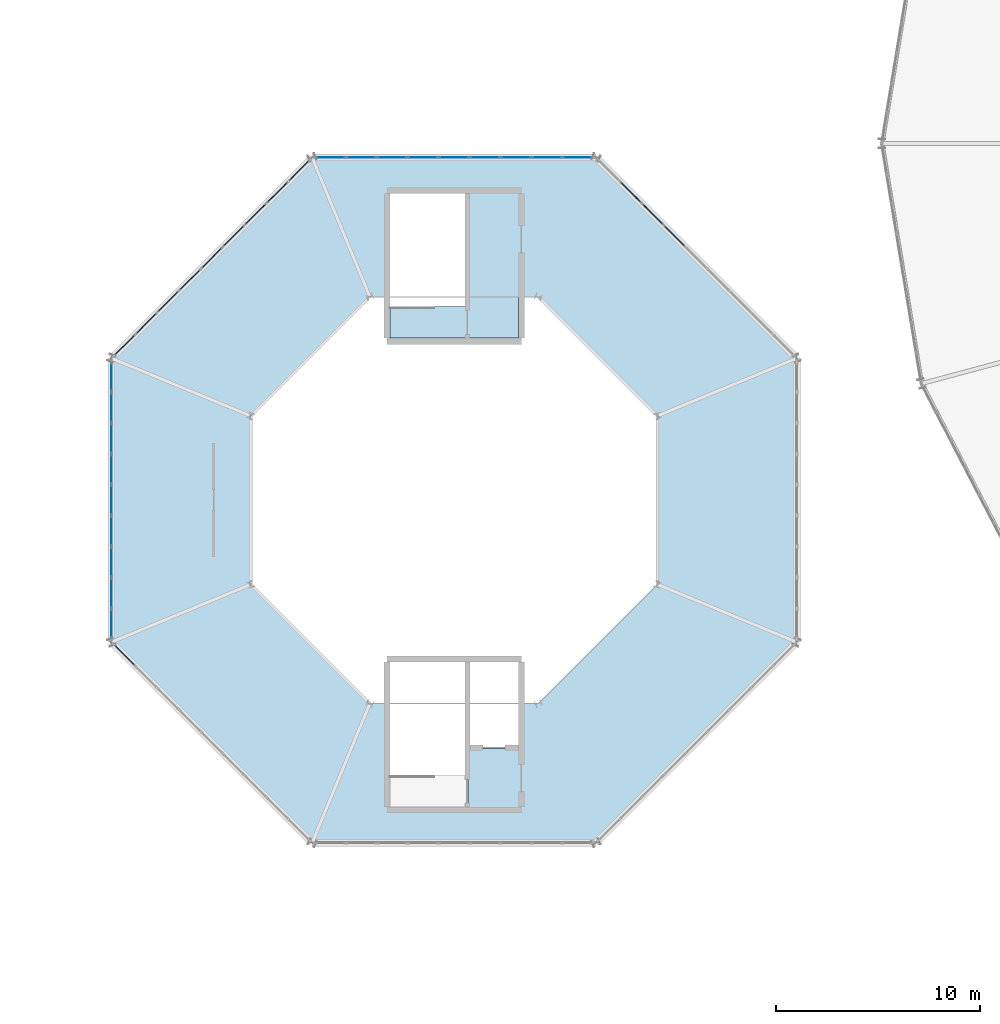
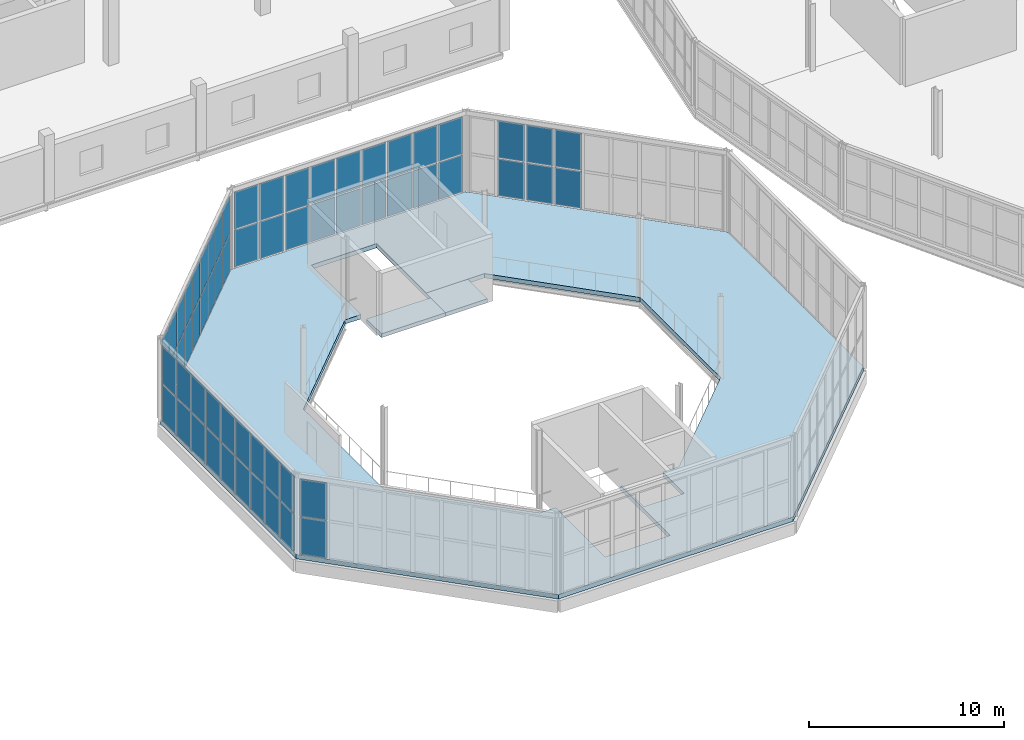
# One storey, part 111 of 161: 62 plates, 3 slabs, 5 elements without a shape of their own.
"""IFC4 building model written with IfcOpenShell, lengths in metres."""

import ifcopenshell
import ifcopenshell.guid

model = None  # the IFC model being written
_history = None  # IfcOwnerHistory: only IFC2X3 demands one
_inside = {}  # id of a spatial element -> (the spatial element, [elements in it])
_under = {}  # id of a project, library or spatial element -> (it, [spatial elements below it])
_declared = {}  # id of a project -> (the project, [libraries it declares])
_typed = {}  # id of a type object -> (the type object, [elements of that type])
_made_of = {}  # id of a material, layer set ... -> (it, [elements and type objects made of it])


def new_model(schema):
    """Start an empty IFC model of exactly this schema.

    Asked for "IFC4X3", IfcOpenShell would pick the latest addendum, in which some entities
    have other attributes; the version numbers below select the first issue.
    IFC2X3 requires an IfcOwnerHistory on every rooted entity: one is made here for all.
    """
    global model, _history
    if schema == "IFC4X3":
        model = ifcopenshell.file(schema_version=(4, 3, 0, 0))
    else:
        model = ifcopenshell.file(schema=schema)
    _inside.clear()
    _under.clear()
    _declared.clear()
    _typed.clear()
    _made_of.clear()
    _history = None
    if model.schema == "IFC2X3":
        org = make("IfcOrganization", Name="unknown")
        user = make(
            "IfcPersonAndOrganization",
            ThePerson=make("IfcPerson", FamilyName="unknown"),
            TheOrganization=org,
        )
        app = make(
            "IfcApplication",
            ApplicationDeveloper=org,
            Version="unknown",
            ApplicationFullName="unknown",
            ApplicationIdentifier="unknown",
        )
        _history = make(
            "IfcOwnerHistory",
            OwningUser=user,
            OwningApplication=app,
            ChangeAction="ADDED",
            CreationDate=0,
        )
    return model


def make(cls, **values):
    """One entity of the class cls with the attributes given. An attribute that is None is left unset."""
    return model.create_entity(
        cls, **{name: value for name, value in values.items() if value is not None}
    )


def rooted(cls, **values):
    """An entity with a GlobalId (a new one), such as an element, a storey or a relation."""
    return make(cls, GlobalId=ifcopenshell.guid.new(), OwnerHistory=_history, **values)


def si_unit(unit_type, name, prefix=None):
    """IfcSIUnit, for example si_unit("LENGTHUNIT", "METRE", prefix="MILLI")."""
    return make("IfcSIUnit", UnitType=unit_type, Prefix=prefix, Name=name)


def assignment(units):
    """IfcUnitAssignment: the units of a project."""
    return None if units is None else make("IfcUnitAssignment", Units=units)


def point(xyz):
    """IfcCartesianPoint."""
    return None if xyz is None else make("IfcCartesianPoint", Coordinates=xyz)


def direction(xyz):
    """IfcDirection."""
    return None if xyz is None else make("IfcDirection", DirectionRatios=xyz)


def frame(location, z_axis=None, x_axis=None):
    """IfcAxis2Placement3D, a coordinate frame: its origin and axes. An axis left out is left unset."""
    return make(
        "IfcAxis2Placement3D",
        Location=point(location),
        Axis=direction(z_axis),
        RefDirection=direction(x_axis),
    )


def frame_2d(location, x_axis=None):
    """IfcAxis2Placement2D, a coordinate frame in the plane: its origin and x axis."""
    return make(
        "IfcAxis2Placement2D", Location=point(location), RefDirection=direction(x_axis)
    )


def origin():
    """The frame at (0, 0, 0) with its axes left unset."""
    return frame((0.0, 0.0, 0.0))


def origin_2d():
    """The frame at (0, 0) in the plane with its x axis left unset."""
    return frame_2d((0.0, 0.0))


def place(relative_to, where):
    """IfcLocalPlacement: puts the frame where relative to a parent placement (None: the world)."""
    return make(
        "IfcLocalPlacement", PlacementRelTo=relative_to, RelativePlacement=where
    )


def context(
    kind, dimensions, precision=None, world=None, true_north=None, identifier=None
):
    """IfcGeometricRepresentationContext, for example the 3D "Model" context."""
    return make(
        "IfcGeometricRepresentationContext",
        ContextIdentifier=identifier,
        ContextType=kind,
        CoordinateSpaceDimension=dimensions,
        Precision=precision,
        WorldCoordinateSystem=world,
        TrueNorth=true_north,
    )


def subcontext(parent, identifier, kind, view, scale=None):
    """IfcGeometricRepresentationSubContext, for example "Body" below "Model"."""
    return make(
        "IfcGeometricRepresentationSubContext",
        ContextIdentifier=identifier,
        ContextType=kind,
        ParentContext=parent,
        TargetScale=scale,
        TargetView=view,
    )


def project(units=None, contexts=None):
    """IfcProject with its units and contexts."""
    return rooted(
        "IfcProject",
        Name="project",
        RepresentationContexts=contexts,
        UnitsInContext=assignment(units),
    )


def spatial(cls, under=None, at=None, **own):
    """A site, building, storey or space (cls), placed at a placement, below another one or the project."""
    s = rooted(cls, ObjectPlacement=at, **own)
    if under is not None:
        _under.setdefault(under.id(), (under, []))[1].append(s)
    return s


def polyline(points):
    """IfcPolyline through the points."""
    return make("IfcPolyline", Points=[point(p) for p in points])


def profile(cls, at=None, kind="AREA", **sizes):
    """A parametric profile (cls). Its sizes go by their IFC names, for example OverallWidth=200.0."""
    return make(cls, ProfileType=kind, Position=at, **sizes)


def rectangle(**sizes):
    """IfcRectangleProfileDef."""
    return profile("IfcRectangleProfileDef", **sizes)


def outline(outer, holes=None, kind="AREA"):
    """IfcArbitraryClosedProfileDef: a profile drawn as a closed curve; with holes, ...WithVoids."""
    if holes is None:
        return make("IfcArbitraryClosedProfileDef", ProfileType=kind, OuterCurve=outer)
    return make(
        "IfcArbitraryProfileDefWithVoids",
        ProfileType=kind,
        OuterCurve=outer,
        InnerCurves=holes,
    )


def extrude(swept, where, along, depth):
    """IfcExtrudedAreaSolid: the profile swept, set in the frame where, extruded along a direction by depth."""
    return make(
        "IfcExtrudedAreaSolid",
        SweptArea=swept,
        Position=where,
        ExtrudedDirection=direction(along),
        Depth=depth,
    )


def shape(context_of_items, identifier, shape_type, items):
    """IfcShapeRepresentation: the items that make up one representation, for example the "Body"."""
    return make(
        "IfcShapeRepresentation",
        ContextOfItems=context_of_items,
        RepresentationIdentifier=identifier,
        RepresentationType=shape_type,
        Items=items,
    )


def material(Name=None, Category=None):
    """IfcMaterial."""
    return make("IfcMaterial", Name=Name, Category=Category)


def layer(
    of_material, thickness, ventilated=None, Name=None, Category=None, Priority=None
):
    """IfcMaterialLayer: one layer of a wall or slab, of a material (None: an air gap)."""
    return make(
        "IfcMaterialLayer",
        Material=of_material,
        LayerThickness=thickness,
        IsVentilated=ventilated,
        Name=Name,
        Category=Category,
        Priority=Priority,
    )


def layer_set(layers, Name=None):
    """IfcMaterialLayerSet."""
    return make("IfcMaterialLayerSet", MaterialLayers=layers, LayerSetName=Name)


def made_of(thing, what):
    """Note that an element or type object is made of a material, layer set ...; save() writes the relation."""
    if what is not None:
        _made_of.setdefault(what.id(), (what, []))[1].append(thing)
    return thing


def type_object(cls, material=None, **own):
    """A type object (cls), such as IfcWallType, which elements share."""
    return made_of(rooted(cls, **own), material)


def element(
    cls,
    number,
    at=None,
    inside=None,
    cuts=None,
    type_object=None,
    material=None,
    context=None,
    identifier="Body",
    shape_type=None,
    held_by="IfcProductDefinitionShape",
    body=None,
    shapes=None,
    **own,
):
    """One element of the class cls, such as IfcWall. Its Tag is "e" and its number.

    at: its placement. inside: the storey or other place that contains it. cuts: it is an
    opening in that element (IfcRelVoidsElement). A single representation is given by context,
    identifier, shape_type and body (its items); several are given by shapes. held_by: the class
    of the entity that holds the representations. save() writes the other relations.
    """
    e = rooted(cls, Tag="e%d" % number, ObjectPlacement=at, **own)
    if body is not None:
        shapes = [shape(context, identifier, shape_type, body)]
    if shapes is not None:
        e.Representation = make(held_by, Representations=shapes)
    if inside is not None:
        _inside.setdefault(inside.id(), (inside, []))[1].append(e)
    if cuts is not None:
        rooted(
            "IfcRelVoidsElement", RelatingBuildingElement=cuts, RelatedOpeningElement=e
        )
    if type_object is not None:
        _typed.setdefault(type_object.id(), (type_object, []))[1].append(e)
    return made_of(e, material)


def aggregate(whole, parts):
    """IfcRelAggregates: a whole, such as a stair, and the parts it consists of."""
    return rooted("IfcRelAggregates", RelatingObject=whole, RelatedObjects=parts)


def save(model, path):
    """Write the relations noted so far, then the file.

    IfcRelAggregates (storeys below a building ...), IfcRelContainedInSpatialStructure (elements
    in a storey), IfcRelDefinesByType, IfcRelAssociatesMaterial and IfcRelDeclares: one each for
    every whole, place, type object, material and project.
    """
    for whole, parts in _under.values():
        aggregate(whole, parts)
    for where, things in _inside.values():
        rooted(
            "IfcRelContainedInSpatialStructure",
            RelatedElements=things,
            RelatingStructure=where,
        )
    for kind, things in _typed.values():
        rooted("IfcRelDefinesByType", RelatedObjects=things, RelatingType=kind)
    for what, things in _made_of.values():
        rooted("IfcRelAssociatesMaterial", RelatedObjects=things, RelatingMaterial=what)
    for by, libraries in _declared.values():
        rooted("IfcRelDeclares", RelatingContext=by, RelatedDefinitions=libraries)
    model.write(path)


model = new_model("IFC4")

# Units and contexts
model_context = context("Model", 3, precision=1e-05, world=origin(), true_north=direction((0.0, 1.0)))
body_context = subcontext(model_context, "Body", "Model", "MODEL_VIEW")
ifc_project = project(units=[si_unit("LENGTHUNIT", "METRE"), si_unit("AREAUNIT", "SQUARE_METRE"), si_unit("VOLUMEUNIT", "CUBIC_METRE"), si_unit("PLANEANGLEUNIT", "RADIAN"), si_unit("MASSUNIT", "GRAM", prefix="KILO")], contexts=[model_context])

# Site, building, storey
site_placement = place(None, origin())
site = spatial("IfcSite", under=ifc_project, at=site_placement, CompositionType="ELEMENT")
building_placement = place(site_placement, origin())
building = spatial("IfcBuilding", under=site, at=building_placement, Name="Kildeholm Park Wholesale Market", CompositionType="ELEMENT")
storey_placement = place(building_placement, frame((0.0, 0.0, 5.39990234375)))
storey = spatial("IfcBuildingStorey", under=building, at=storey_placement, Name="L01", CompositionType="ELEMENT", Elevation=5.39990234375)

# Curtain wall, plates
ifc_material_1 = material(Name="Anodised aluminium and low-E double-glazed glass", Category="aluminium")
curtain_wall_type = type_object("IfcCurtainWallType", Name="Clerestory daylight stick curtain wall CW-02", PredefinedType="NOTDEFINED", material=ifc_material_1)
curtain_wall_1_placement = place(storey_placement, origin())
curtain_wall_1 = element("IfcCurtainWall", 1, at=curtain_wall_1_placement, inside=storey, type_object=curtain_wall_type, Name="Curtain wall CW-V3-L01-00 CW-0135", PredefinedType="NOTDEFINED")
ifc_material_2 = material(Name="Triple-glazed solar-control glass", Category="glass")
ifc_layer_1 = layer(ifc_material_2, 0.035888671875)
ifc_layer_set_1 = layer_set([ifc_layer_1], Name="Triple-glazed solar-control glass")
plate_type = type_object("IfcPlateType", Name="Curtain-wall panel CWP-2 36 mm", PredefinedType="CURTAIN_PANEL", material=ifc_layer_set_1)
plate_1_placement = place(storey_placement, frame((31.817626953125, 84.96240234375, 0.0751953125), z_axis=(0.0, 0.0, 1.0), x_axis=(-0.707106781187, 0.707106781187, 0.0)))
plate_1 = element("IfcPlate", 2, at=plate_1_placement, type_object=plate_type, Name="CW-02 panel 6.1 PLT-1990", PredefinedType="CURTAIN_PANEL", context=body_context, shape_type="SweptSolid", body=[
    extrude(rectangle(XDim=1.441650390625, YDim=0.035888671875, at=origin_2d()), origin(), (0.0, 0.0, 1.0), 2.3125),
])
plate_2_placement = place(storey_placement, frame((31.817626953125, 84.96240234375, 2.462646484375), z_axis=(0.0, 0.0, 1.0), x_axis=(-0.707106781187, 0.707106781187, 0.0)))
plate_2 = element("IfcPlate", 3, at=plate_2_placement, type_object=plate_type, Name="CW-02 panel 6.2 PLT-1991", PredefinedType="CURTAIN_PANEL", context=body_context, shape_type="SweptSolid", body=[
    extrude(rectangle(XDim=1.441650390625, YDim=0.035888671875, at=origin_2d()), origin(), (0.0, 0.0, 1.0), 2.3125),
])
plate_3_placement = place(storey_placement, frame((30.7451171875, 86.034912109375, 0.0751953125), z_axis=(0.0, 0.0, 1.0), x_axis=(-0.707106781187, 0.707106781187, 0.0)))
plate_3 = element("IfcPlate", 4, at=plate_3_placement, type_object=plate_type, Name="CW-02 panel 7.1 PLT-1992", PredefinedType="CURTAIN_PANEL", context=body_context, shape_type="SweptSolid", body=[
    extrude(rectangle(XDim=1.441650390625, YDim=0.035888671875, at=origin_2d()), origin(), (0.0, 0.0, 1.0), 2.3125),
])
plate_4_placement = place(storey_placement, frame((30.7451171875, 86.034912109375, 2.462646484375), z_axis=(0.0, 0.0, 1.0), x_axis=(-0.707106781187, 0.707106781187, 0.0)))
plate_4 = element("IfcPlate", 5, at=plate_4_placement, type_object=plate_type, Name="CW-02 panel 7.2 PLT-1993", PredefinedType="CURTAIN_PANEL", context=body_context, shape_type="SweptSolid", body=[
    extrude(rectangle(XDim=1.441650390625, YDim=0.035888671875, at=origin_2d()), origin(), (0.0, 0.0, 1.0), 2.3125),
])
plate_5_placement = place(storey_placement, frame((29.672607421875, 87.107421875, 0.0751953125), z_axis=(0.0, 0.0, 1.0), x_axis=(-0.707106781187, 0.707106781187, 0.0)))
plate_5 = element("IfcPlate", 6, at=plate_5_placement, type_object=plate_type, Name="CW-02 panel 8.1 PLT-1994", PredefinedType="CURTAIN_PANEL", context=body_context, shape_type="SweptSolid", body=[
    extrude(rectangle(XDim=1.441650390625, YDim=0.035888671875, at=origin_2d()), origin(), (0.0, 0.0, 1.0), 2.3125),
])
plate_6_placement = place(storey_placement, frame((29.672607421875, 87.107421875, 2.462646484375), z_axis=(0.0, 0.0, 1.0), x_axis=(-0.707106781187, 0.707106781187, 0.0)))
plate_6 = element("IfcPlate", 7, at=plate_6_placement, type_object=plate_type, Name="CW-02 panel 8.2 PLT-1995", PredefinedType="CURTAIN_PANEL", context=body_context, shape_type="SweptSolid", body=[
    extrude(rectangle(XDim=1.441650390625, YDim=0.035888671875, at=origin_2d()), origin(), (0.0, 0.0, 1.0), 2.3125),
])
aggregate(curtain_wall_1, [plate_1, plate_2, plate_3, plate_4, plate_5, plate_6])

curtain_wall_2_placement = place(storey_placement, origin())
curtain_wall_2 = element("IfcCurtainWall", 8, at=curtain_wall_2_placement, inside=storey, type_object=curtain_wall_type, Name="Curtain wall CW-V3-L01-01 CW-0136", PredefinedType="NOTDEFINED")
plate_7_placement = place(storey_placement, frame((27.0478515625, 88.81494140625, 0.0751953125), z_axis=(0.0, 0.0, 1.0), x_axis=(-1.0, 0.0, 0.0)))
plate_7 = element("IfcPlate", 9, at=plate_7_placement, type_object=plate_type, Name="CW-02 panel 1.1 PLT-1998", PredefinedType="CURTAIN_PANEL", context=body_context, shape_type="SweptSolid", body=[
    extrude(rectangle(XDim=1.404052734375, YDim=0.035888671875, at=origin_2d()), origin(), (0.0, 0.0, 1.0), 2.3125),
])
plate_8_placement = place(storey_placement, frame((27.0478515625, 88.81494140625, 2.462646484375), z_axis=(0.0, 0.0, 1.0), x_axis=(-1.0, 0.0, 0.0)))
plate_8 = element("IfcPlate", 10, at=plate_8_placement, type_object=plate_type, Name="CW-02 panel 1.2 PLT-1999", PredefinedType="CURTAIN_PANEL", context=body_context, shape_type="SweptSolid", body=[
    extrude(rectangle(XDim=1.404052734375, YDim=0.035888671875, at=origin_2d()), origin(), (0.0, 0.0, 1.0), 2.3125),
])
plate_9_placement = place(storey_placement, frame((25.550048828125, 88.81494140625, 0.0751953125), z_axis=(0.0, 0.0, 1.0), x_axis=(-1.0, 0.0, 0.0)))
plate_9 = element("IfcPlate", 11, at=plate_9_placement, type_object=plate_type, Name="CW-02 panel 2.1 PLT-2000", PredefinedType="CURTAIN_PANEL", context=body_context, shape_type="SweptSolid", body=[
    extrude(rectangle(XDim=1.441650390625, YDim=0.035888671875, at=origin_2d()), origin(), (0.0, 0.0, 1.0), 2.3125),
])
plate_10_placement = place(storey_placement, frame((25.550048828125, 88.81494140625, 2.462646484375), z_axis=(0.0, 0.0, 1.0), x_axis=(-1.0, 0.0, 0.0)))
plate_10 = element("IfcPlate", 12, at=plate_10_placement, type_object=plate_type, Name="CW-02 panel 2.2 PLT-2001", PredefinedType="CURTAIN_PANEL", context=body_context, shape_type="SweptSolid", body=[
    extrude(rectangle(XDim=1.441650390625, YDim=0.035888671875, at=origin_2d()), origin(), (0.0, 0.0, 1.0), 2.3125),
])
plate_11_placement = place(storey_placement, frame((24.033447265625, 88.81494140625, 0.0751953125), z_axis=(0.0, 0.0, 1.0), x_axis=(-1.0, 0.0, 0.0)))
plate_11 = element("IfcPlate", 13, at=plate_11_placement, type_object=plate_type, Name="CW-02 panel 3.1 PLT-2002", PredefinedType="CURTAIN_PANEL", context=body_context, shape_type="SweptSolid", body=[
    extrude(rectangle(XDim=1.441650390625, YDim=0.035888671875, at=origin_2d()), origin(), (0.0, 0.0, 1.0), 2.3125),
])
plate_12_placement = place(storey_placement, frame((24.033447265625, 88.81494140625, 2.462646484375), z_axis=(0.0, 0.0, 1.0), x_axis=(-1.0, 0.0, 0.0)))
plate_12 = element("IfcPlate", 14, at=plate_12_placement, type_object=plate_type, Name="CW-02 panel 3.2 PLT-2003", PredefinedType="CURTAIN_PANEL", context=body_context, shape_type="SweptSolid", body=[
    extrude(rectangle(XDim=1.441650390625, YDim=0.035888671875, at=origin_2d()), origin(), (0.0, 0.0, 1.0), 2.3125),
])
plate_13_placement = place(storey_placement, frame((22.5166015625, 88.81494140625, 0.0751953125), z_axis=(0.0, 0.0, 1.0), x_axis=(-1.0, 0.0, 0.0)))
plate_13 = element("IfcPlate", 15, at=plate_13_placement, type_object=plate_type, Name="CW-02 panel 4.1 PLT-2004", PredefinedType="CURTAIN_PANEL", context=body_context, shape_type="SweptSolid", body=[
    extrude(rectangle(XDim=1.441650390625, YDim=0.035888671875, at=origin_2d()), origin(), (0.0, 0.0, 1.0), 2.3125),
])
plate_14_placement = place(storey_placement, frame((22.5166015625, 88.81494140625, 2.462646484375), z_axis=(0.0, 0.0, 1.0), x_axis=(-1.0, 0.0, 0.0)))
plate_14 = element("IfcPlate", 16, at=plate_14_placement, type_object=plate_type, Name="CW-02 panel 4.2 PLT-2005", PredefinedType="CURTAIN_PANEL", context=body_context, shape_type="SweptSolid", body=[
    extrude(rectangle(XDim=1.441650390625, YDim=0.035888671875, at=origin_2d()), origin(), (0.0, 0.0, 1.0), 2.3125),
])
plate_15_placement = place(storey_placement, frame((21.0, 88.81494140625, 0.0751953125), z_axis=(0.0, 0.0, 1.0), x_axis=(-1.0, 0.0, 0.0)))
plate_15 = element("IfcPlate", 17, at=plate_15_placement, type_object=plate_type, Name="CW-02 panel 5.1 PLT-2006", PredefinedType="CURTAIN_PANEL", context=body_context, shape_type="SweptSolid", body=[
    extrude(rectangle(XDim=1.441650390625, YDim=0.035888671875, at=origin_2d()), origin(), (0.0, 0.0, 1.0), 2.3125),
])
plate_16_placement = place(storey_placement, frame((21.0, 88.81494140625, 2.462646484375), z_axis=(0.0, 0.0, 1.0), x_axis=(-1.0, 0.0, 0.0)))
plate_16 = element("IfcPlate", 18, at=plate_16_placement, type_object=plate_type, Name="CW-02 panel 5.2 PLT-2007", PredefinedType="CURTAIN_PANEL", context=body_context, shape_type="SweptSolid", body=[
    extrude(rectangle(XDim=1.441650390625, YDim=0.035888671875, at=origin_2d()), origin(), (0.0, 0.0, 1.0), 2.3125),
])
plate_17_placement = place(storey_placement, frame((19.4833984375, 88.81494140625, 0.0751953125), z_axis=(0.0, 0.0, 1.0), x_axis=(-1.0, 0.0, 0.0)))
plate_17 = element("IfcPlate", 19, at=plate_17_placement, type_object=plate_type, Name="CW-02 panel 6.1 PLT-2008", PredefinedType="CURTAIN_PANEL", context=body_context, shape_type="SweptSolid", body=[
    extrude(rectangle(XDim=1.441650390625, YDim=0.035888671875, at=origin_2d()), origin(), (0.0, 0.0, 1.0), 2.3125),
])
plate_18_placement = place(storey_placement, frame((19.4833984375, 88.81494140625, 2.462646484375), z_axis=(0.0, 0.0, 1.0), x_axis=(-1.0, 0.0, 0.0)))
plate_18 = element("IfcPlate", 20, at=plate_18_placement, type_object=plate_type, Name="CW-02 panel 6.2 PLT-2009", PredefinedType="CURTAIN_PANEL", context=body_context, shape_type="SweptSolid", body=[
    extrude(rectangle(XDim=1.441650390625, YDim=0.035888671875, at=origin_2d()), origin(), (0.0, 0.0, 1.0), 2.3125),
])
plate_19_placement = place(storey_placement, frame((17.966552734375, 88.81494140625, 0.0751953125), z_axis=(0.0, 0.0, 1.0), x_axis=(-1.0, 0.0, 0.0)))
plate_19 = element("IfcPlate", 21, at=plate_19_placement, type_object=plate_type, Name="CW-02 panel 7.1 PLT-2010", PredefinedType="CURTAIN_PANEL", context=body_context, shape_type="SweptSolid", body=[
    extrude(rectangle(XDim=1.441650390625, YDim=0.035888671875, at=origin_2d()), origin(), (0.0, 0.0, 1.0), 2.3125),
])
plate_20_placement = place(storey_placement, frame((17.966552734375, 88.81494140625, 2.462646484375), z_axis=(0.0, 0.0, 1.0), x_axis=(-1.0, 0.0, 0.0)))
plate_20 = element("IfcPlate", 22, at=plate_20_placement, type_object=plate_type, Name="CW-02 panel 7.2 PLT-2011", PredefinedType="CURTAIN_PANEL", context=body_context, shape_type="SweptSolid", body=[
    extrude(rectangle(XDim=1.441650390625, YDim=0.035888671875, at=origin_2d()), origin(), (0.0, 0.0, 1.0), 2.3125),
])
plate_21_placement = place(storey_placement, frame((16.449951171875, 88.81494140625, 0.0751953125), z_axis=(0.0, 0.0, 1.0), x_axis=(-1.0, 0.0, 0.0)))
plate_21 = element("IfcPlate", 23, at=plate_21_placement, type_object=plate_type, Name="CW-02 panel 8.1 PLT-2012", PredefinedType="CURTAIN_PANEL", context=body_context, shape_type="SweptSolid", body=[
    extrude(rectangle(XDim=1.441650390625, YDim=0.035888671875, at=origin_2d()), origin(), (0.0, 0.0, 1.0), 2.3125),
])
plate_22_placement = place(storey_placement, frame((16.449951171875, 88.81494140625, 2.462646484375), z_axis=(0.0, 0.0, 1.0), x_axis=(-1.0, 0.0, 0.0)))
plate_22 = element("IfcPlate", 24, at=plate_22_placement, type_object=plate_type, Name="CW-02 panel 8.2 PLT-2013", PredefinedType="CURTAIN_PANEL", context=body_context, shape_type="SweptSolid", body=[
    extrude(rectangle(XDim=1.441650390625, YDim=0.035888671875, at=origin_2d()), origin(), (0.0, 0.0, 1.0), 2.3125),
])
plate_23_placement = place(storey_placement, frame((14.9521484375, 88.81494140625, 0.0751953125), z_axis=(0.0, 0.0, 1.0), x_axis=(-1.0, 0.0, 0.0)))
plate_23 = element("IfcPlate", 25, at=plate_23_placement, type_object=plate_type, Name="CW-02 panel 9.1 PLT-2014", PredefinedType="CURTAIN_PANEL", context=body_context, shape_type="SweptSolid", body=[
    extrude(rectangle(XDim=1.404052734375, YDim=0.035888671875, at=origin_2d()), origin(), (0.0, 0.0, 1.0), 2.3125),
])
plate_24_placement = place(storey_placement, frame((14.9521484375, 88.81494140625, 2.462646484375), z_axis=(0.0, 0.0, 1.0), x_axis=(-1.0, 0.0, 0.0)))
plate_24 = element("IfcPlate", 26, at=plate_24_placement, type_object=plate_type, Name="CW-02 panel 9.2 PLT-2015", PredefinedType="CURTAIN_PANEL", context=body_context, shape_type="SweptSolid", body=[
    extrude(rectangle(XDim=1.404052734375, YDim=0.035888671875, at=origin_2d()), origin(), (0.0, 0.0, 1.0), 2.3125),
])
aggregate(curtain_wall_2, [plate_7, plate_8, plate_9, plate_10, plate_11, plate_12, plate_13, plate_14, plate_15, plate_16, plate_17, plate_18, plate_19, plate_20, plate_21, plate_22, plate_23, plate_24])

curtain_wall_3_placement = place(storey_placement, origin())
curtain_wall_3 = element("IfcCurtainWall", 27, at=curtain_wall_3_placement, inside=storey, type_object=curtain_wall_type, Name="Curtain wall CW-V3-L01-02 CW-0137", PredefinedType="NOTDEFINED")
plate_25_placement = place(storey_placement, frame((13.386474609375, 88.16650390625, 0.0751953125), z_axis=(0.0, 0.0, 1.0), x_axis=(-0.707106781187, -0.707106781187, 0.0)))
plate_25 = element("IfcPlate", 28, at=plate_25_placement, type_object=plate_type, Name="CW-02 panel 1.1 PLT-2016", PredefinedType="CURTAIN_PANEL", context=body_context, shape_type="SweptSolid", body=[
    extrude(rectangle(XDim=1.404052734375, YDim=0.035888671875, at=origin_2d()), origin(), (0.0, 0.0, 1.0), 2.3125),
])
plate_26_placement = place(storey_placement, frame((13.386474609375, 88.16650390625, 2.462646484375), z_axis=(0.0, 0.0, 1.0), x_axis=(-0.707106781187, -0.707106781187, 0.0)))
plate_26 = element("IfcPlate", 29, at=plate_26_placement, type_object=plate_type, Name="CW-02 panel 1.2 PLT-2017", PredefinedType="CURTAIN_PANEL", context=body_context, shape_type="SweptSolid", body=[
    extrude(rectangle(XDim=1.404052734375, YDim=0.035888671875, at=origin_2d()), origin(), (0.0, 0.0, 1.0), 2.3125),
])
plate_27_placement = place(storey_placement, frame((12.327392578125, 87.107421875, 0.0751953125), z_axis=(0.0, 0.0, 1.0), x_axis=(-0.707106781187, -0.707106781187, 0.0)))
plate_27 = element("IfcPlate", 30, at=plate_27_placement, type_object=plate_type, Name="CW-02 panel 2.1 PLT-2018", PredefinedType="CURTAIN_PANEL", context=body_context, shape_type="SweptSolid", body=[
    extrude(rectangle(XDim=1.441650390625, YDim=0.035888671875, at=origin_2d()), origin(), (0.0, 0.0, 1.0), 2.3125),
])
plate_28_placement = place(storey_placement, frame((12.327392578125, 87.107421875, 2.462646484375), z_axis=(0.0, 0.0, 1.0), x_axis=(-0.707106781187, -0.707106781187, 0.0)))
plate_28 = element("IfcPlate", 31, at=plate_28_placement, type_object=plate_type, Name="CW-02 panel 2.2 PLT-2019", PredefinedType="CURTAIN_PANEL", context=body_context, shape_type="SweptSolid", body=[
    extrude(rectangle(XDim=1.441650390625, YDim=0.035888671875, at=origin_2d()), origin(), (0.0, 0.0, 1.0), 2.3125),
])
plate_29_placement = place(storey_placement, frame((11.2548828125, 86.034912109375, 0.0751953125), z_axis=(0.0, 0.0, 1.0), x_axis=(-0.707106781187, -0.707106781187, 0.0)))
plate_29 = element("IfcPlate", 32, at=plate_29_placement, type_object=plate_type, Name="CW-02 panel 3.1 PLT-2020", PredefinedType="CURTAIN_PANEL", context=body_context, shape_type="SweptSolid", body=[
    extrude(rectangle(XDim=1.441650390625, YDim=0.035888671875, at=origin_2d()), origin(), (0.0, 0.0, 1.0), 2.3125),
])
plate_30_placement = place(storey_placement, frame((11.2548828125, 86.034912109375, 2.462646484375), z_axis=(0.0, 0.0, 1.0), x_axis=(-0.707106781187, -0.707106781187, 0.0)))
plate_30 = element("IfcPlate", 33, at=plate_30_placement, type_object=plate_type, Name="CW-02 panel 3.2 PLT-2021", PredefinedType="CURTAIN_PANEL", context=body_context, shape_type="SweptSolid", body=[
    extrude(rectangle(XDim=1.441650390625, YDim=0.035888671875, at=origin_2d()), origin(), (0.0, 0.0, 1.0), 2.3125),
])
plate_31_placement = place(storey_placement, frame((10.182373046875, 84.96240234375, 0.0751953125), z_axis=(0.0, 0.0, 1.0), x_axis=(-0.707106781187, -0.707106781187, 0.0)))
plate_31 = element("IfcPlate", 34, at=plate_31_placement, type_object=plate_type, Name="CW-02 panel 4.1 PLT-2022", PredefinedType="CURTAIN_PANEL", context=body_context, shape_type="SweptSolid", body=[
    extrude(rectangle(XDim=1.441650390625, YDim=0.035888671875, at=origin_2d()), origin(), (0.0, 0.0, 1.0), 2.3125),
])
plate_32_placement = place(storey_placement, frame((10.182373046875, 84.96240234375, 2.462646484375), z_axis=(0.0, 0.0, 1.0), x_axis=(-0.707106781187, -0.707106781187, 0.0)))
plate_32 = element("IfcPlate", 35, at=plate_32_placement, type_object=plate_type, Name="CW-02 panel 4.2 PLT-2023", PredefinedType="CURTAIN_PANEL", context=body_context, shape_type="SweptSolid", body=[
    extrude(rectangle(XDim=1.441650390625, YDim=0.035888671875, at=origin_2d()), origin(), (0.0, 0.0, 1.0), 2.3125),
])
plate_33_placement = place(storey_placement, frame((9.110107421875, 83.889892578125, 0.0751953125), z_axis=(0.0, 0.0, 1.0), x_axis=(-0.707106781187, -0.707106781187, 0.0)))
plate_33 = element("IfcPlate", 36, at=plate_33_placement, type_object=plate_type, Name="CW-02 panel 5.1 PLT-2024", PredefinedType="CURTAIN_PANEL", context=body_context, shape_type="SweptSolid", body=[
    extrude(rectangle(XDim=1.441650390625, YDim=0.035888671875, at=origin_2d()), origin(), (0.0, 0.0, 1.0), 2.3125),
])
plate_34_placement = place(storey_placement, frame((9.110107421875, 83.889892578125, 2.462646484375), z_axis=(0.0, 0.0, 1.0), x_axis=(-0.707106781187, -0.707106781187, 0.0)))
plate_34 = element("IfcPlate", 37, at=plate_34_placement, type_object=plate_type, Name="CW-02 panel 5.2 PLT-2025", PredefinedType="CURTAIN_PANEL", context=body_context, shape_type="SweptSolid", body=[
    extrude(rectangle(XDim=1.441650390625, YDim=0.035888671875, at=origin_2d()), origin(), (0.0, 0.0, 1.0), 2.3125),
])
plate_35_placement = place(storey_placement, frame((8.03759765625, 82.817626953125, 0.0751953125), z_axis=(0.0, 0.0, 1.0), x_axis=(-0.707106781187, -0.707106781187, 0.0)))
plate_35 = element("IfcPlate", 38, at=plate_35_placement, type_object=plate_type, Name="CW-02 panel 6.1 PLT-2026", PredefinedType="CURTAIN_PANEL", context=body_context, shape_type="SweptSolid", body=[
    extrude(rectangle(XDim=1.441650390625, YDim=0.035888671875, at=origin_2d()), origin(), (0.0, 0.0, 1.0), 2.3125),
])
plate_36_placement = place(storey_placement, frame((8.03759765625, 82.817626953125, 2.462646484375), z_axis=(0.0, 0.0, 1.0), x_axis=(-0.707106781187, -0.707106781187, 0.0)))
plate_36 = element("IfcPlate", 39, at=plate_36_placement, type_object=plate_type, Name="CW-02 panel 6.2 PLT-2027", PredefinedType="CURTAIN_PANEL", context=body_context, shape_type="SweptSolid", body=[
    extrude(rectangle(XDim=1.441650390625, YDim=0.035888671875, at=origin_2d()), origin(), (0.0, 0.0, 1.0), 2.3125),
])
plate_37_placement = place(storey_placement, frame((6.965087890625, 81.7451171875, 0.0751953125), z_axis=(0.0, 0.0, 1.0), x_axis=(-0.707106781187, -0.707106781187, 0.0)))
plate_37 = element("IfcPlate", 40, at=plate_37_placement, type_object=plate_type, Name="CW-02 panel 7.1 PLT-2028", PredefinedType="CURTAIN_PANEL", context=body_context, shape_type="SweptSolid", body=[
    extrude(rectangle(XDim=1.441650390625, YDim=0.035888671875, at=origin_2d()), origin(), (0.0, 0.0, 1.0), 2.3125),
])
plate_38_placement = place(storey_placement, frame((6.965087890625, 81.7451171875, 2.462646484375), z_axis=(0.0, 0.0, 1.0), x_axis=(-0.707106781187, -0.707106781187, 0.0)))
plate_38 = element("IfcPlate", 41, at=plate_38_placement, type_object=plate_type, Name="CW-02 panel 7.2 PLT-2029", PredefinedType="CURTAIN_PANEL", context=body_context, shape_type="SweptSolid", body=[
    extrude(rectangle(XDim=1.441650390625, YDim=0.035888671875, at=origin_2d()), origin(), (0.0, 0.0, 1.0), 2.3125),
])
plate_39_placement = place(storey_placement, frame((5.892578125, 80.672607421875, 0.0751953125), z_axis=(0.0, 0.0, 1.0), x_axis=(-0.707106781187, -0.707106781187, 0.0)))
plate_39 = element("IfcPlate", 42, at=plate_39_placement, type_object=plate_type, Name="CW-02 panel 8.1 PLT-2030", PredefinedType="CURTAIN_PANEL", context=body_context, shape_type="SweptSolid", body=[
    extrude(rectangle(XDim=1.441650390625, YDim=0.035888671875, at=origin_2d()), origin(), (0.0, 0.0, 1.0), 2.3125),
])
plate_40_placement = place(storey_placement, frame((5.892578125, 80.672607421875, 2.462646484375), z_axis=(0.0, 0.0, 1.0), x_axis=(-0.707106781187, -0.707106781187, 0.0)))
plate_40 = element("IfcPlate", 43, at=plate_40_placement, type_object=plate_type, Name="CW-02 panel 8.2 PLT-2031", PredefinedType="CURTAIN_PANEL", context=body_context, shape_type="SweptSolid", body=[
    extrude(rectangle(XDim=1.441650390625, YDim=0.035888671875, at=origin_2d()), origin(), (0.0, 0.0, 1.0), 2.3125),
])
plate_41_placement = place(storey_placement, frame((4.83349609375, 79.613525390625, 0.0751953125), z_axis=(0.0, 0.0, 1.0), x_axis=(-0.707106781187, -0.707106781187, 0.0)))
plate_41 = element("IfcPlate", 44, at=plate_41_placement, type_object=plate_type, Name="CW-02 panel 9.1 PLT-2032", PredefinedType="CURTAIN_PANEL", context=body_context, shape_type="SweptSolid", body=[
    extrude(rectangle(XDim=1.404052734375, YDim=0.035888671875, at=origin_2d()), origin(), (0.0, 0.0, 1.0), 2.3125),
])
plate_42_placement = place(storey_placement, frame((4.83349609375, 79.613525390625, 2.462646484375), z_axis=(0.0, 0.0, 1.0), x_axis=(-0.707106781187, -0.707106781187, 0.0)))
plate_42 = element("IfcPlate", 45, at=plate_42_placement, type_object=plate_type, Name="CW-02 panel 9.2 PLT-2033", PredefinedType="CURTAIN_PANEL", context=body_context, shape_type="SweptSolid", body=[
    extrude(rectangle(XDim=1.404052734375, YDim=0.035888671875, at=origin_2d()), origin(), (0.0, 0.0, 1.0), 2.3125),
])
aggregate(curtain_wall_3, [plate_25, plate_26, plate_27, plate_28, plate_29, plate_30, plate_31, plate_32, plate_33, plate_34, plate_35, plate_36, plate_37, plate_38, plate_39, plate_40, plate_41, plate_42])

curtain_wall_4_placement = place(storey_placement, origin())
curtain_wall_4 = element("IfcCurtainWall", 46, at=curtain_wall_4_placement, inside=storey, type_object=curtain_wall_type, Name="Curtain wall CW-V3-L01-03 CW-0138", PredefinedType="NOTDEFINED")
plate_43_placement = place(storey_placement, frame((4.18505859375, 78.0478515625, 0.0751953125), z_axis=(0.0, 0.0, 1.0), x_axis=(0.0, -1.0, 0.0)))
plate_43 = element("IfcPlate", 47, at=plate_43_placement, type_object=plate_type, Name="CW-02 panel 1.1 PLT-2034", PredefinedType="CURTAIN_PANEL", context=body_context, shape_type="SweptSolid", body=[
    extrude(rectangle(XDim=1.404052734375, YDim=0.035888671875, at=origin_2d()), origin(), (0.0, 0.0, 1.0), 2.3125),
])
plate_44_placement = place(storey_placement, frame((4.18505859375, 78.0478515625, 2.462646484375), z_axis=(0.0, 0.0, 1.0), x_axis=(0.0, -1.0, 0.0)))
plate_44 = element("IfcPlate", 48, at=plate_44_placement, type_object=plate_type, Name="CW-02 panel 1.2 PLT-2035", PredefinedType="CURTAIN_PANEL", context=body_context, shape_type="SweptSolid", body=[
    extrude(rectangle(XDim=1.404052734375, YDim=0.035888671875, at=origin_2d()), origin(), (0.0, 0.0, 1.0), 2.3125),
])
plate_45_placement = place(storey_placement, frame((4.18505859375, 76.550048828125, 0.0751953125), z_axis=(0.0, 0.0, 1.0), x_axis=(0.0, -1.0, 0.0)))
plate_45 = element("IfcPlate", 49, at=plate_45_placement, type_object=plate_type, Name="CW-02 panel 2.1 PLT-2036", PredefinedType="CURTAIN_PANEL", context=body_context, shape_type="SweptSolid", body=[
    extrude(rectangle(XDim=1.441650390625, YDim=0.035888671875, at=origin_2d()), origin(), (0.0, 0.0, 1.0), 2.3125),
])
plate_46_placement = place(storey_placement, frame((4.18505859375, 76.550048828125, 2.462646484375), z_axis=(0.0, 0.0, 1.0), x_axis=(0.0, -1.0, 0.0)))
plate_46 = element("IfcPlate", 50, at=plate_46_placement, type_object=plate_type, Name="CW-02 panel 2.2 PLT-2037", PredefinedType="CURTAIN_PANEL", context=body_context, shape_type="SweptSolid", body=[
    extrude(rectangle(XDim=1.441650390625, YDim=0.035888671875, at=origin_2d()), origin(), (0.0, 0.0, 1.0), 2.3125),
])
plate_47_placement = place(storey_placement, frame((4.18505859375, 75.033447265625, 0.0751953125), z_axis=(0.0, 0.0, 1.0), x_axis=(0.0, -1.0, 0.0)))
plate_47 = element("IfcPlate", 51, at=plate_47_placement, type_object=plate_type, Name="CW-02 panel 3.1 PLT-2038", PredefinedType="CURTAIN_PANEL", context=body_context, shape_type="SweptSolid", body=[
    extrude(rectangle(XDim=1.441650390625, YDim=0.035888671875, at=origin_2d()), origin(), (0.0, 0.0, 1.0), 2.3125),
])
plate_48_placement = place(storey_placement, frame((4.18505859375, 75.033447265625, 2.462646484375), z_axis=(0.0, 0.0, 1.0), x_axis=(0.0, -1.0, 0.0)))
plate_48 = element("IfcPlate", 52, at=plate_48_placement, type_object=plate_type, Name="CW-02 panel 3.2 PLT-2039", PredefinedType="CURTAIN_PANEL", context=body_context, shape_type="SweptSolid", body=[
    extrude(rectangle(XDim=1.441650390625, YDim=0.035888671875, at=origin_2d()), origin(), (0.0, 0.0, 1.0), 2.3125),
])
plate_49_placement = place(storey_placement, frame((4.18505859375, 73.5166015625, 0.0751953125), z_axis=(0.0, 0.0, 1.0), x_axis=(0.0, -1.0, 0.0)))
plate_49 = element("IfcPlate", 53, at=plate_49_placement, type_object=plate_type, Name="CW-02 panel 4.1 PLT-2040", PredefinedType="CURTAIN_PANEL", context=body_context, shape_type="SweptSolid", body=[
    extrude(rectangle(XDim=1.441650390625, YDim=0.035888671875, at=origin_2d()), origin(), (0.0, 0.0, 1.0), 2.3125),
])
plate_50_placement = place(storey_placement, frame((4.18505859375, 73.5166015625, 2.462646484375), z_axis=(0.0, 0.0, 1.0), x_axis=(0.0, -1.0, 0.0)))
plate_50 = element("IfcPlate", 54, at=plate_50_placement, type_object=plate_type, Name="CW-02 panel 4.2 PLT-2041", PredefinedType="CURTAIN_PANEL", context=body_context, shape_type="SweptSolid", body=[
    extrude(rectangle(XDim=1.441650390625, YDim=0.035888671875, at=origin_2d()), origin(), (0.0, 0.0, 1.0), 2.3125),
])
plate_51_placement = place(storey_placement, frame((4.18505859375, 72.0, 0.0751953125), z_axis=(0.0, 0.0, 1.0), x_axis=(0.0, -1.0, 0.0)))
plate_51 = element("IfcPlate", 55, at=plate_51_placement, type_object=plate_type, Name="CW-02 panel 5.1 PLT-2042", PredefinedType="CURTAIN_PANEL", context=body_context, shape_type="SweptSolid", body=[
    extrude(rectangle(XDim=1.441650390625, YDim=0.035888671875, at=origin_2d()), origin(), (0.0, 0.0, 1.0), 2.3125),
])
plate_52_placement = place(storey_placement, frame((4.18505859375, 72.0, 2.462646484375), z_axis=(0.0, 0.0, 1.0), x_axis=(0.0, -1.0, 0.0)))
plate_52 = element("IfcPlate", 56, at=plate_52_placement, type_object=plate_type, Name="CW-02 panel 5.2 PLT-2043", PredefinedType="CURTAIN_PANEL", context=body_context, shape_type="SweptSolid", body=[
    extrude(rectangle(XDim=1.441650390625, YDim=0.035888671875, at=origin_2d()), origin(), (0.0, 0.0, 1.0), 2.3125),
])
plate_53_placement = place(storey_placement, frame((4.18505859375, 70.4833984375, 0.0751953125), z_axis=(0.0, 0.0, 1.0), x_axis=(0.0, -1.0, 0.0)))
plate_53 = element("IfcPlate", 57, at=plate_53_placement, type_object=plate_type, Name="CW-02 panel 6.1 PLT-2044", PredefinedType="CURTAIN_PANEL", context=body_context, shape_type="SweptSolid", body=[
    extrude(rectangle(XDim=1.441650390625, YDim=0.035888671875, at=origin_2d()), origin(), (0.0, 0.0, 1.0), 2.3125),
])
plate_54_placement = place(storey_placement, frame((4.18505859375, 70.4833984375, 2.462646484375), z_axis=(0.0, 0.0, 1.0), x_axis=(0.0, -1.0, 0.0)))
plate_54 = element("IfcPlate", 58, at=plate_54_placement, type_object=plate_type, Name="CW-02 panel 6.2 PLT-2045", PredefinedType="CURTAIN_PANEL", context=body_context, shape_type="SweptSolid", body=[
    extrude(rectangle(XDim=1.441650390625, YDim=0.035888671875, at=origin_2d()), origin(), (0.0, 0.0, 1.0), 2.3125),
])
plate_55_placement = place(storey_placement, frame((4.18505859375, 68.966552734375, 0.0751953125), z_axis=(0.0, 0.0, 1.0), x_axis=(0.0, -1.0, 0.0)))
plate_55 = element("IfcPlate", 59, at=plate_55_placement, type_object=plate_type, Name="CW-02 panel 7.1 PLT-2046", PredefinedType="CURTAIN_PANEL", context=body_context, shape_type="SweptSolid", body=[
    extrude(rectangle(XDim=1.441650390625, YDim=0.035888671875, at=origin_2d()), origin(), (0.0, 0.0, 1.0), 2.3125),
])
plate_56_placement = place(storey_placement, frame((4.18505859375, 68.966552734375, 2.462646484375), z_axis=(0.0, 0.0, 1.0), x_axis=(0.0, -1.0, 0.0)))
plate_56 = element("IfcPlate", 60, at=plate_56_placement, type_object=plate_type, Name="CW-02 panel 7.2 PLT-2047", PredefinedType="CURTAIN_PANEL", context=body_context, shape_type="SweptSolid", body=[
    extrude(rectangle(XDim=1.441650390625, YDim=0.035888671875, at=origin_2d()), origin(), (0.0, 0.0, 1.0), 2.3125),
])
plate_57_placement = place(storey_placement, frame((4.18505859375, 67.449951171875, 0.0751953125), z_axis=(0.0, 0.0, 1.0), x_axis=(0.0, -1.0, 0.0)))
plate_57 = element("IfcPlate", 61, at=plate_57_placement, type_object=plate_type, Name="CW-02 panel 8.1 PLT-2048", PredefinedType="CURTAIN_PANEL", context=body_context, shape_type="SweptSolid", body=[
    extrude(rectangle(XDim=1.441650390625, YDim=0.035888671875, at=origin_2d()), origin(), (0.0, 0.0, 1.0), 2.3125),
])
plate_58_placement = place(storey_placement, frame((4.18505859375, 67.449951171875, 2.462646484375), z_axis=(0.0, 0.0, 1.0), x_axis=(0.0, -1.0, 0.0)))
plate_58 = element("IfcPlate", 62, at=plate_58_placement, type_object=plate_type, Name="CW-02 panel 8.2 PLT-2049", PredefinedType="CURTAIN_PANEL", context=body_context, shape_type="SweptSolid", body=[
    extrude(rectangle(XDim=1.441650390625, YDim=0.035888671875, at=origin_2d()), origin(), (0.0, 0.0, 1.0), 2.3125),
])
plate_59_placement = place(storey_placement, frame((4.18505859375, 65.9521484375, 0.0751953125), z_axis=(0.0, 0.0, 1.0), x_axis=(0.0, -1.0, 0.0)))
plate_59 = element("IfcPlate", 63, at=plate_59_placement, type_object=plate_type, Name="CW-02 panel 9.1 PLT-2050", PredefinedType="CURTAIN_PANEL", context=body_context, shape_type="SweptSolid", body=[
    extrude(rectangle(XDim=1.404052734375, YDim=0.035888671875, at=origin_2d()), origin(), (0.0, 0.0, 1.0), 2.3125),
])
plate_60_placement = place(storey_placement, frame((4.18505859375, 65.9521484375, 2.462646484375), z_axis=(0.0, 0.0, 1.0), x_axis=(0.0, -1.0, 0.0)))
plate_60 = element("IfcPlate", 64, at=plate_60_placement, type_object=plate_type, Name="CW-02 panel 9.2 PLT-2051", PredefinedType="CURTAIN_PANEL", context=body_context, shape_type="SweptSolid", body=[
    extrude(rectangle(XDim=1.404052734375, YDim=0.035888671875, at=origin_2d()), origin(), (0.0, 0.0, 1.0), 2.3125),
])
aggregate(curtain_wall_4, [plate_43, plate_44, plate_45, plate_46, plate_47, plate_48, plate_49, plate_50, plate_51, plate_52, plate_53, plate_54, plate_55, plate_56, plate_57, plate_58, plate_59, plate_60])

curtain_wall_5_placement = place(storey_placement, origin())
curtain_wall_5 = element("IfcCurtainWall", 65, at=curtain_wall_5_placement, inside=storey, type_object=curtain_wall_type, Name="Curtain wall CW-V3-L01-04 CW-0139", PredefinedType="NOTDEFINED")
plate_61_placement = place(storey_placement, frame((4.83349609375, 64.386474609375, 0.0751953125), z_axis=(0.0, 0.0, 1.0), x_axis=(0.707106781187, -0.707106781187, 0.0)))
plate_61 = element("IfcPlate", 66, at=plate_61_placement, type_object=plate_type, Name="CW-02 panel 1.1 PLT-2052", PredefinedType="CURTAIN_PANEL", context=body_context, shape_type="SweptSolid", body=[
    extrude(rectangle(XDim=1.404052734375, YDim=0.035888671875, at=origin_2d()), origin(), (0.0, 0.0, 1.0), 2.3125),
])
plate_62_placement = place(storey_placement, frame((4.83349609375, 64.386474609375, 2.462646484375), z_axis=(0.0, 0.0, 1.0), x_axis=(0.707106781187, -0.707106781187, 0.0)))
plate_62 = element("IfcPlate", 67, at=plate_62_placement, type_object=plate_type, Name="CW-02 panel 1.2 PLT-2053", PredefinedType="CURTAIN_PANEL", context=body_context, shape_type="SweptSolid", body=[
    extrude(rectangle(XDim=1.404052734375, YDim=0.035888671875, at=origin_2d()), origin(), (0.0, 0.0, 1.0), 2.3125),
])
aggregate(curtain_wall_5, [plate_61, plate_62])

# Slabs
ifc_material_3 = material(Name="Concrete C35/45", Category="concrete")
ifc_layer_2 = layer(ifc_material_3, 0.27001953125)
ifc_layer_set_2 = layer_set([ifc_layer_2], Name="Concrete C35/45")
slab_type_1 = type_object("IfcSlabType", Name="Slab S-FL3 270 mm", PredefinedType="FLOOR", material=ifc_layer_set_2)
slab_1_placement = place(storey_placement, frame((0.0, 0.0, -0.27001953125)))
element("IfcSlab", 68, at=slab_1_placement, inside=storey, type_object=slab_type_1, Name="Auction viewing gallery L01 slab SLB-0340", PredefinedType="FLOOR", context=body_context, shape_type="SweptSolid", body=[
    extrude(outline(polyline([(37.81494140625, 65.034912109375), (27.965087890625, 55.18505859375), (14.034912109375, 55.18505859375), (4.18505859375, 65.034912109375), (4.18505859375, 78.965087890625), (14.034912109375, 88.81494140625), (27.965087890625, 88.81494140625), (37.81494140625, 78.965087890625), (37.81494140625, 65.034912109375)]), holes=[polyline([(17.820068359375, 56.919921875), (21.679931640625, 56.919921875), (21.679931640625, 62.02197265625), (21.780029296875, 62.02197265625), (21.780029296875, 59.820068359375), (24.179931640625, 59.820068359375), (24.179931640625, 62.02197265625), (25.133056640625, 62.02197265625), (30.97802734375, 67.866943359375), (30.97802734375, 76.133056640625), (25.133056640625, 81.97802734375), (21.679931640625, 81.97802734375), (21.679931640625, 87.080078125), (17.820068359375, 87.080078125), (17.820068359375, 81.97802734375), (16.866943359375, 81.97802734375), (11.02197265625, 76.133056640625), (11.02197265625, 67.866943359375), (16.866943359375, 62.02197265625), (17.820068359375, 62.02197265625), (17.820068359375, 56.919921875)])]), origin(), (0.0, 0.0, 1.0), 0.27001953125),
])
ifc_layer_3 = layer(ifc_material_3, 0.239990234375)
ifc_layer_set_3 = layer_set([ifc_layer_3], Name="Concrete C35/45")
slab_type_2 = type_object("IfcSlabType", Name="Stair landing slab S-LD1 240 mm", PredefinedType="LANDING", material=ifc_layer_set_3)
slab_2_placement = place(storey_placement, frame((0.0, 0.0, -0.239990234375)))
element("IfcSlab", 69, at=slab_2_placement, inside=storey, type_object=slab_type_2, Name="Core C15 lobby floor slab L01 SLB-0486", PredefinedType="LANDING", context=body_context, shape_type="SweptSolid", body=[
    extrude(outline(polyline([(24.14990234375, 79.949951171875), (21.64990234375, 79.949951171875), (21.64990234375, 87.050048828125), (21.675048828125, 87.050048828125), (21.675048828125, 81.97705078125), (21.679931640625, 81.972900390625), (24.14990234375, 81.972900390625), (24.14990234375, 79.949951171875)])), origin(), (0.0, 0.0, 1.0), 0.239990234375),
])
slab_3_placement = place(storey_placement, frame((0.0, 0.0, -0.239990234375)))
element("IfcSlab", 70, at=slab_3_placement, inside=storey, type_object=slab_type_2, Name="Core C15 stair landing slab L01 SLB-0487", PredefinedType="LANDING", context=body_context, shape_type="SweptSolid", body=[
    extrude(outline(polyline([(17.85009765625, 79.949951171875), (21.64990234375, 79.949951171875), (21.64990234375, 81.5), (17.85009765625, 81.5), (17.85009765625, 79.949951171875)])), origin(), (0.0, 0.0, 1.0), 0.239990234375),
])

save(model, "model.ifc")
